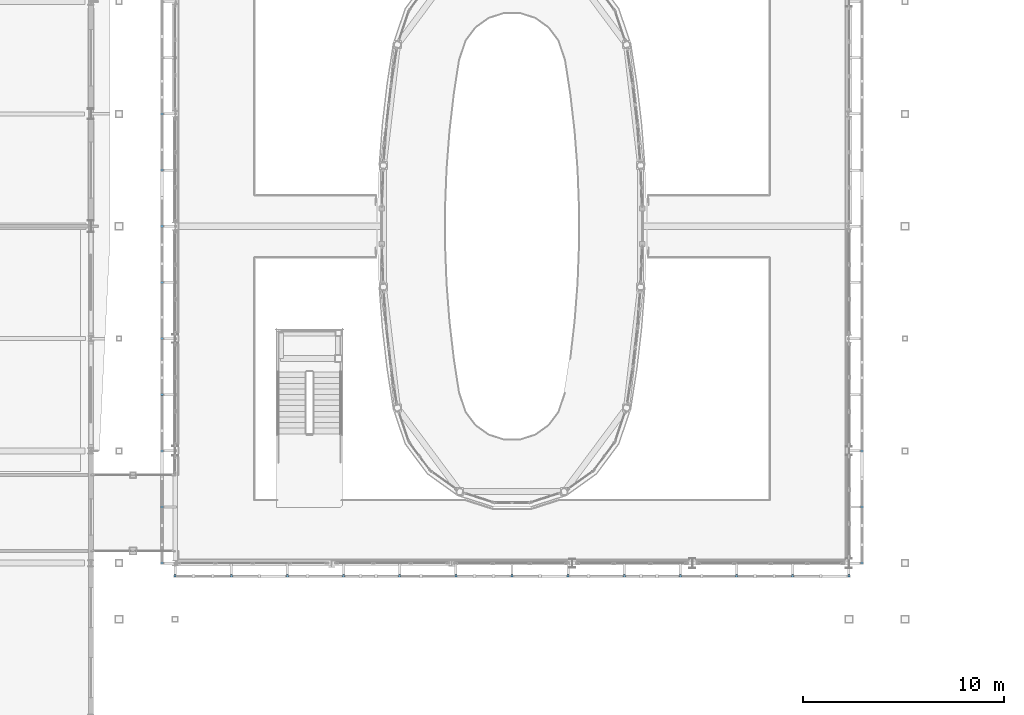
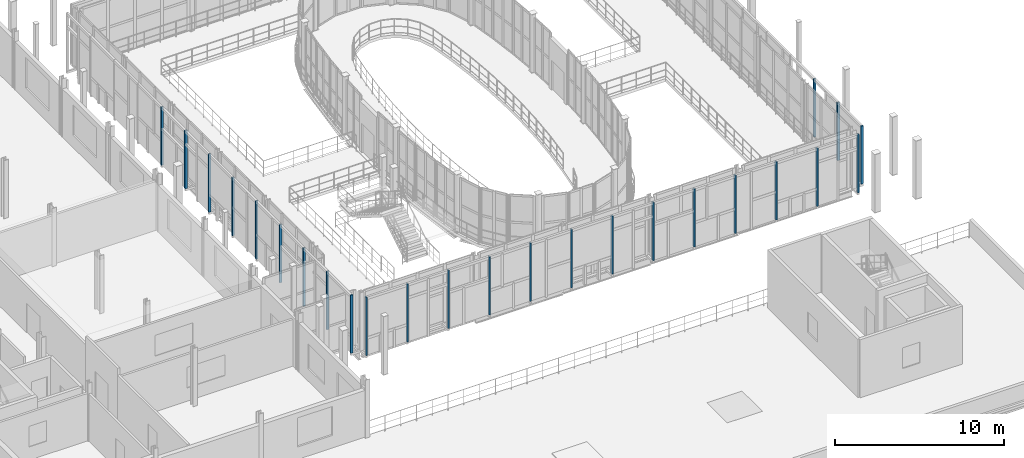
# One storey, part 125 of 138: 25 discrete accessories.
"""IFC4 building model written with IfcOpenShell, lengths in metres."""

from ifc_helpers import new_model, si_unit, direction, frame, origin, origin_2d, place, context, subcontext, project, spatial, rectangle, extrude, material, type_object, element, save


model = new_model("IFC4")

# Units and contexts
model_context = context("Model", 3, precision=1e-05, world=origin(), true_north=direction((0.0, 1.0)))
body_context = subcontext(model_context, "Body", "Model", "MODEL_VIEW")
ifc_project = project(units=[si_unit("LENGTHUNIT", "METRE"), si_unit("AREAUNIT", "SQUARE_METRE"), si_unit("VOLUMEUNIT", "CUBIC_METRE"), si_unit("PLANEANGLEUNIT", "RADIAN"), si_unit("MASSUNIT", "GRAM", prefix="KILO")], contexts=[model_context])

# Site, building, storey
site_placement = place(None, origin())
site = spatial("IfcSite", under=ifc_project, at=site_placement, CompositionType="ELEMENT")
building_placement = place(site_placement, origin())
building = spatial("IfcBuilding", under=site, at=building_placement, Name="Vinh Khe Railworks Police Headquarters", CompositionType="ELEMENT")
storey_placement = place(building_placement, frame((0.0, 0.0, 9.0)))
storey = spatial("IfcBuildingStorey", under=building, at=storey_placement, Name="L02", CompositionType="ELEMENT", Elevation=9.0)

# Discrete accessories
ifc_material = material(Name="Steel S355JR", Category="steel")
discrete_accessory_type = type_object("IfcDiscreteAccessoryType", Name="SCR-MULL-RHS150", PredefinedType="BRACKET", material=ifc_material)
for number, where, z_axis, x_axis, name in (
    (1, (26.39990234375, 24.550048828125, 0.0), (0.0, 0.0, 1.0), (1.0, 0.0, 0.0), "Patchwork Screen Vertical Support Channel S-1 L02"),
    (2, (29.199951171875, 24.550048828125, 0.0), (0.0, 0.0, 1.0), (1.0, 0.0, 0.0), "Patchwork Screen Vertical Support Channel S-2 L02"),
    (3, (32.0, 24.550048828125, 0.0), (0.0, 0.0, 1.0), (1.0, 0.0, 0.0), "Patchwork Screen Vertical Support Channel S-3 L02"),
    (4, (34.800048828125, 24.550048828125, 0.0), (0.0, 0.0, 1.0), (1.0, 0.0, 0.0), "Patchwork Screen Vertical Support Channel S-4 L02"),
    (5, (37.60009765625, 24.550048828125, 0.0), (0.0, 0.0, 1.0), (1.0, 0.0, 0.0), "Patchwork Screen Vertical Support Channel S-5 L02"),
    (6, (40.39990234375, 24.550048828125, 0.0), (0.0, 0.0, 1.0), (1.0, 0.0, 0.0), "Patchwork Screen Vertical Support Channel S-6 L02"),
    (7, (43.199951171875, 24.550048828125, 0.0), (0.0, 0.0, 1.0), (1.0, 0.0, 0.0), "Patchwork Screen Vertical Support Channel S-7 L02"),
    (8, (46.0, 24.550048828125, 0.0), (0.0, 0.0, 1.0), (1.0, 0.0, 0.0), "Patchwork Screen Vertical Support Channel S-8 L02"),
    (9, (48.800048828125, 24.550048828125, 0.0), (0.0, 0.0, 1.0), (1.0, 0.0, 0.0), "Patchwork Screen Vertical Support Channel S-9 L02"),
    (10, (51.60009765625, 24.550048828125, 0.0), (0.0, 0.0, 1.0), (1.0, 0.0, 0.0), "Patchwork Screen Vertical Support Channel S-10 L02"),
    (11, (54.39990234375, 24.550048828125, 0.0), (0.0, 0.0, 1.0), (1.0, 0.0, 0.0), "Patchwork Screen Vertical Support Channel S-11 L02"),
    (12, (57.199951171875, 24.550048828125, 0.0), (0.0, 0.0, 1.0), (1.0, 0.0, 0.0), "Patchwork Screen Vertical Support Channel S-12 L02"),
    (13, (60.0, 24.550048828125, 0.0), (0.0, 0.0, 1.0), (1.0, 0.0, 0.0), "Patchwork Screen Vertical Support Channel S-13 L02"),
):
    element("IfcDiscreteAccessory", number, at=place(storey_placement, frame(where, z_axis=z_axis, x_axis=x_axis)), inside=storey, type_object=discrete_accessory_type, Name=name, PredefinedType="BRACKET", context=body_context, shape_type="SweptSolid", body=[
        extrude(rectangle(XDim=0.10009765625, YDim=0.14990234375, at=origin_2d()), origin(), (0.0, 0.0, 1.0), 4.199951171875),
    ])
for number, where, z_axis, x_axis, name in (
    (14, (60.64990234375, 25.199951171875, 0.0), (0.0, 0.0, 1.0), (1.0, 0.0, 0.0), "Patchwork Screen Vertical Support Channel E-1 L02"),
    (15, (60.64990234375, 28.0, 0.0), (0.0, 0.0, 1.0), (1.0, 0.0, 0.0), "Patchwork Screen Vertical Support Channel E-2 L02"),
    (16, (60.64990234375, 30.800048828125, 0.0), (0.0, 0.0, 1.0), (1.0, 0.0, 0.0), "Patchwork Screen Vertical Support Channel E-3 L02"),
    (17, (25.75, 25.199951171875, 0.0), (0.0, 0.0, 1.0), (1.0, 0.0, 0.0), "Patchwork Screen Vertical Support Channel W-1 L02"),
    (18, (25.75, 28.0, 0.0), (0.0, 0.0, 1.0), (1.0, 0.0, 0.0), "Patchwork Screen Vertical Support Channel W-2 L02"),
    (19, (25.75, 30.800048828125, 0.0), (0.0, 0.0, 1.0), (1.0, 0.0, 0.0), "Patchwork Screen Vertical Support Channel W-3 L02"),
    (20, (25.75, 33.60009765625, 0.0), (0.0, 0.0, 1.0), (1.0, 0.0, 0.0), "Patchwork Screen Vertical Support Channel W-4 L02"),
    (21, (25.75, 36.39990234375, 0.0), (0.0, 0.0, 1.0), (1.0, 0.0, 0.0), "Patchwork Screen Vertical Support Channel W-5 L02"),
    (22, (25.75, 39.199951171875, 0.0), (0.0, 0.0, 1.0), (1.0, 0.0, 0.0), "Patchwork Screen Vertical Support Channel W-6 L02"),
    (23, (25.75, 42.0, 0.0), (0.0, 0.0, 1.0), (1.0, 0.0, 0.0), "Patchwork Screen Vertical Support Channel W-7 L02"),
    (24, (25.75, 44.800048828125, 0.0), (0.0, 0.0, 1.0), (1.0, 0.0, 0.0), "Patchwork Screen Vertical Support Channel W-8 L02"),
    (25, (25.75, 47.60009765625, 0.0), (0.0, 0.0, 1.0), (1.0, 0.0, 0.0), "Patchwork Screen Vertical Support Channel W-9 L02"),
):
    element("IfcDiscreteAccessory", number, at=place(storey_placement, frame(where, z_axis=z_axis, x_axis=x_axis)), inside=storey, type_object=discrete_accessory_type, Name=name, PredefinedType="BRACKET", context=body_context, shape_type="SweptSolid", body=[
        extrude(rectangle(XDim=0.14990234375, YDim=0.10009765625, at=origin_2d()), origin(), (0.0, 0.0, 1.0), 4.199951171875),
    ])

save(model, "model.ifc")
